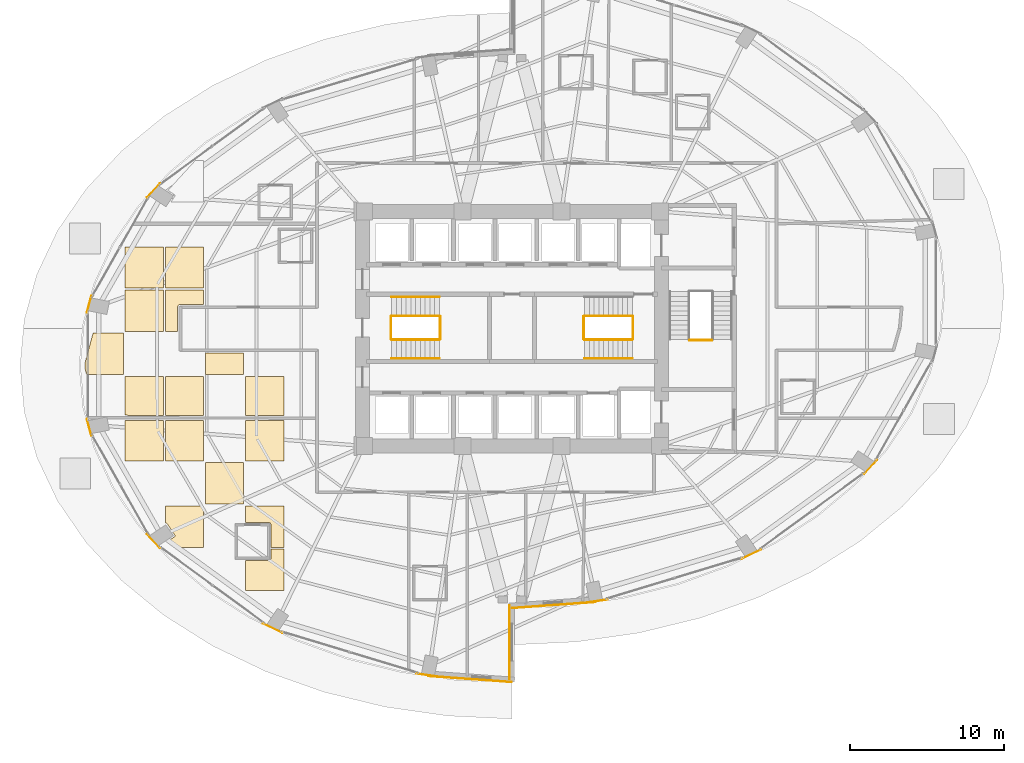
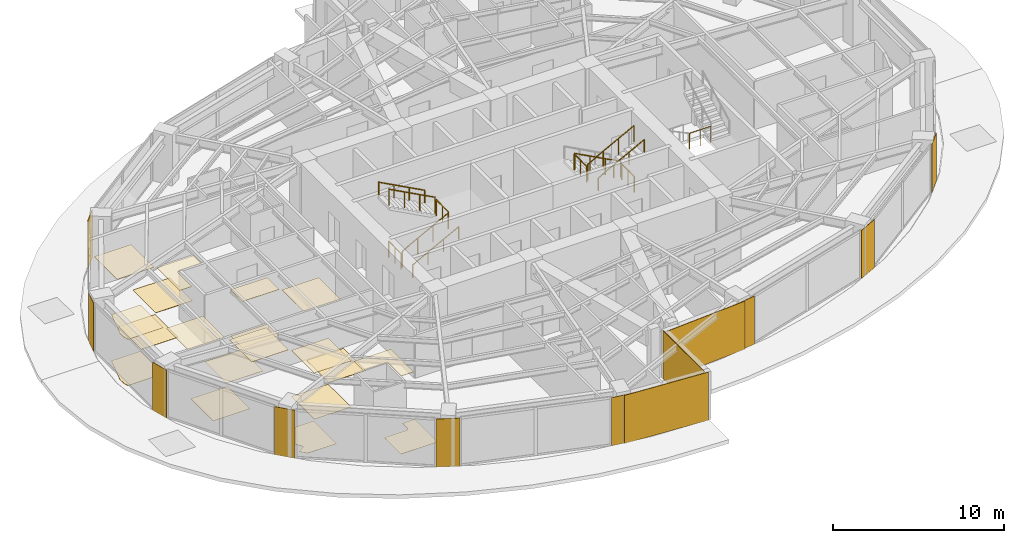
# One storey, part 24 of 25: 31 coverings, 12 railings.
"""IFC4 building model written with IfcOpenShell, lengths in metres."""

import ifcopenshell
import ifcopenshell.guid

model = None  # the IFC model being written
_history = None  # IfcOwnerHistory: only IFC2X3 demands one
_inside = {}  # id of a spatial element -> (the spatial element, [elements in it])
_under = {}  # id of a project, library or spatial element -> (it, [spatial elements below it])
_declared = {}  # id of a project -> (the project, [libraries it declares])
_typed = {}  # id of a type object -> (the type object, [elements of that type])
_made_of = {}  # id of a material, layer set ... -> (it, [elements and type objects made of it])


def new_model(schema):
    """Start an empty IFC model of exactly this schema.

    Asked for "IFC4X3", IfcOpenShell would pick the latest addendum, in which some entities
    have other attributes; the version numbers below select the first issue.
    IFC2X3 requires an IfcOwnerHistory on every rooted entity: one is made here for all.
    """
    global model, _history
    if schema == "IFC4X3":
        model = ifcopenshell.file(schema_version=(4, 3, 0, 0))
    else:
        model = ifcopenshell.file(schema=schema)
    _inside.clear()
    _under.clear()
    _declared.clear()
    _typed.clear()
    _made_of.clear()
    _history = None
    if model.schema == "IFC2X3":
        org = make("IfcOrganization", Name="unknown")
        user = make(
            "IfcPersonAndOrganization",
            ThePerson=make("IfcPerson", FamilyName="unknown"),
            TheOrganization=org,
        )
        app = make(
            "IfcApplication",
            ApplicationDeveloper=org,
            Version="unknown",
            ApplicationFullName="unknown",
            ApplicationIdentifier="unknown",
        )
        _history = make(
            "IfcOwnerHistory",
            OwningUser=user,
            OwningApplication=app,
            ChangeAction="ADDED",
            CreationDate=0,
        )
    return model


def make(cls, **values):
    """One entity of the class cls with the attributes given. An attribute that is None is left unset."""
    return model.create_entity(
        cls, **{name: value for name, value in values.items() if value is not None}
    )


def rooted(cls, **values):
    """An entity with a GlobalId (a new one), such as an element, a storey or a relation."""
    return make(cls, GlobalId=ifcopenshell.guid.new(), OwnerHistory=_history, **values)


def si_unit(unit_type, name, prefix=None):
    """IfcSIUnit, for example si_unit("LENGTHUNIT", "METRE", prefix="MILLI")."""
    return make("IfcSIUnit", UnitType=unit_type, Prefix=prefix, Name=name)


def assignment(units):
    """IfcUnitAssignment: the units of a project."""
    return None if units is None else make("IfcUnitAssignment", Units=units)


def point(xyz):
    """IfcCartesianPoint."""
    return None if xyz is None else make("IfcCartesianPoint", Coordinates=xyz)


def direction(xyz):
    """IfcDirection."""
    return None if xyz is None else make("IfcDirection", DirectionRatios=xyz)


def frame(location, z_axis=None, x_axis=None):
    """IfcAxis2Placement3D, a coordinate frame: its origin and axes. An axis left out is left unset."""
    return make(
        "IfcAxis2Placement3D",
        Location=point(location),
        Axis=direction(z_axis),
        RefDirection=direction(x_axis),
    )


def frame_2d(location, x_axis=None):
    """IfcAxis2Placement2D, a coordinate frame in the plane: its origin and x axis."""
    return make(
        "IfcAxis2Placement2D", Location=point(location), RefDirection=direction(x_axis)
    )


def origin():
    """The frame at (0, 0, 0) with its axes left unset."""
    return frame((0.0, 0.0, 0.0))


def origin_2d():
    """The frame at (0, 0) in the plane with its x axis left unset."""
    return frame_2d((0.0, 0.0))


def place(relative_to, where):
    """IfcLocalPlacement: puts the frame where relative to a parent placement (None: the world)."""
    return make(
        "IfcLocalPlacement", PlacementRelTo=relative_to, RelativePlacement=where
    )


def context(
    kind, dimensions, precision=None, world=None, true_north=None, identifier=None
):
    """IfcGeometricRepresentationContext, for example the 3D "Model" context."""
    return make(
        "IfcGeometricRepresentationContext",
        ContextIdentifier=identifier,
        ContextType=kind,
        CoordinateSpaceDimension=dimensions,
        Precision=precision,
        WorldCoordinateSystem=world,
        TrueNorth=true_north,
    )


def subcontext(parent, identifier, kind, view, scale=None):
    """IfcGeometricRepresentationSubContext, for example "Body" below "Model"."""
    return make(
        "IfcGeometricRepresentationSubContext",
        ContextIdentifier=identifier,
        ContextType=kind,
        ParentContext=parent,
        TargetScale=scale,
        TargetView=view,
    )


def project(units=None, contexts=None):
    """IfcProject with its units and contexts."""
    return rooted(
        "IfcProject",
        Name="project",
        RepresentationContexts=contexts,
        UnitsInContext=assignment(units),
    )


def spatial(cls, under=None, at=None, **own):
    """A site, building, storey or space (cls), placed at a placement, below another one or the project."""
    s = rooted(cls, ObjectPlacement=at, **own)
    if under is not None:
        _under.setdefault(under.id(), (under, []))[1].append(s)
    return s


def polyline(points):
    """IfcPolyline through the points."""
    return make("IfcPolyline", Points=[point(p) for p in points])


def profile(cls, at=None, kind="AREA", **sizes):
    """A parametric profile (cls). Its sizes go by their IFC names, for example OverallWidth=200.0."""
    return make(cls, ProfileType=kind, Position=at, **sizes)


def rectangle(**sizes):
    """IfcRectangleProfileDef."""
    return profile("IfcRectangleProfileDef", **sizes)


def circle(**sizes):
    """IfcCircleProfileDef."""
    return profile("IfcCircleProfileDef", **sizes)


def outline(outer, holes=None, kind="AREA"):
    """IfcArbitraryClosedProfileDef: a profile drawn as a closed curve; with holes, ...WithVoids."""
    if holes is None:
        return make("IfcArbitraryClosedProfileDef", ProfileType=kind, OuterCurve=outer)
    return make(
        "IfcArbitraryProfileDefWithVoids",
        ProfileType=kind,
        OuterCurve=outer,
        InnerCurves=holes,
    )


def extrude(swept, where, along, depth):
    """IfcExtrudedAreaSolid: the profile swept, set in the frame where, extruded along a direction by depth."""
    return make(
        "IfcExtrudedAreaSolid",
        SweptArea=swept,
        Position=where,
        ExtrudedDirection=direction(along),
        Depth=depth,
    )


def shape(context_of_items, identifier, shape_type, items):
    """IfcShapeRepresentation: the items that make up one representation, for example the "Body"."""
    return make(
        "IfcShapeRepresentation",
        ContextOfItems=context_of_items,
        RepresentationIdentifier=identifier,
        RepresentationType=shape_type,
        Items=items,
    )


def material(Name=None, Category=None):
    """IfcMaterial."""
    return make("IfcMaterial", Name=Name, Category=Category)


def layer(
    of_material, thickness, ventilated=None, Name=None, Category=None, Priority=None
):
    """IfcMaterialLayer: one layer of a wall or slab, of a material (None: an air gap)."""
    return make(
        "IfcMaterialLayer",
        Material=of_material,
        LayerThickness=thickness,
        IsVentilated=ventilated,
        Name=Name,
        Category=Category,
        Priority=Priority,
    )


def layer_set(layers, Name=None):
    """IfcMaterialLayerSet."""
    return make("IfcMaterialLayerSet", MaterialLayers=layers, LayerSetName=Name)


def made_of(thing, what):
    """Note that an element or type object is made of a material, layer set ...; save() writes the relation."""
    if what is not None:
        _made_of.setdefault(what.id(), (what, []))[1].append(thing)
    return thing


def type_object(cls, material=None, **own):
    """A type object (cls), such as IfcWallType, which elements share."""
    return made_of(rooted(cls, **own), material)


def element(
    cls,
    number,
    at=None,
    inside=None,
    cuts=None,
    type_object=None,
    material=None,
    context=None,
    identifier="Body",
    shape_type=None,
    held_by="IfcProductDefinitionShape",
    body=None,
    shapes=None,
    **own,
):
    """One element of the class cls, such as IfcWall. Its Tag is "e" and its number.

    at: its placement. inside: the storey or other place that contains it. cuts: it is an
    opening in that element (IfcRelVoidsElement). A single representation is given by context,
    identifier, shape_type and body (its items); several are given by shapes. held_by: the class
    of the entity that holds the representations. save() writes the other relations.
    """
    e = rooted(cls, Tag="e%d" % number, ObjectPlacement=at, **own)
    if body is not None:
        shapes = [shape(context, identifier, shape_type, body)]
    if shapes is not None:
        e.Representation = make(held_by, Representations=shapes)
    if inside is not None:
        _inside.setdefault(inside.id(), (inside, []))[1].append(e)
    if cuts is not None:
        rooted(
            "IfcRelVoidsElement", RelatingBuildingElement=cuts, RelatedOpeningElement=e
        )
    if type_object is not None:
        _typed.setdefault(type_object.id(), (type_object, []))[1].append(e)
    return made_of(e, material)


def aggregate(whole, parts):
    """IfcRelAggregates: a whole, such as a stair, and the parts it consists of."""
    return rooted("IfcRelAggregates", RelatingObject=whole, RelatedObjects=parts)


def save(model, path):
    """Write the relations noted so far, then the file.

    IfcRelAggregates (storeys below a building ...), IfcRelContainedInSpatialStructure (elements
    in a storey), IfcRelDefinesByType, IfcRelAssociatesMaterial and IfcRelDeclares: one each for
    every whole, place, type object, material and project.
    """
    for whole, parts in _under.values():
        aggregate(whole, parts)
    for where, things in _inside.values():
        rooted(
            "IfcRelContainedInSpatialStructure",
            RelatedElements=things,
            RelatingStructure=where,
        )
    for kind, things in _typed.values():
        rooted("IfcRelDefinesByType", RelatedObjects=things, RelatingType=kind)
    for what, things in _made_of.values():
        rooted("IfcRelAssociatesMaterial", RelatedObjects=things, RelatingMaterial=what)
    for by, libraries in _declared.values():
        rooted("IfcRelDeclares", RelatingContext=by, RelatedDefinitions=libraries)
    model.write(path)


model = new_model("IFC4")

# Units and contexts
model_context = context("Model", 3, precision=1e-05, world=origin(), true_north=direction((0.0, 1.0)))
body_context = subcontext(model_context, "Body", "Model", "MODEL_VIEW")
ifc_project = project(units=[si_unit("LENGTHUNIT", "METRE"), si_unit("AREAUNIT", "SQUARE_METRE"), si_unit("VOLUMEUNIT", "CUBIC_METRE"), si_unit("PLANEANGLEUNIT", "RADIAN"), si_unit("MASSUNIT", "GRAM", prefix="KILO")], contexts=[model_context])

# Site, building, storey
site_placement = place(None, origin())
site = spatial("IfcSite", under=ifc_project, at=site_placement, CompositionType="ELEMENT")
building_placement = place(site_placement, origin())
building = spatial("IfcBuilding", under=site, at=building_placement, Name="Lazwardi Medical Tower", CompositionType="ELEMENT")
storey_placement = place(building_placement, frame((0.0, 0.0, 25.199951171875)))
storey = spatial("IfcBuildingStorey", under=building, at=storey_placement, Name="L05", CompositionType="ELEMENT", Elevation=25.199951171875)

# Coverings
ifc_material_1 = material(Name="Anodised bronze aluminium cassette cladding", Category="aluminium")
ifc_layer_1 = layer(ifc_material_1, 0.030029296875)
ifc_layer_set_1 = layer_set([ifc_layer_1], Name="Anodised bronze aluminium cassette cladding")
covering_type_1 = type_object("IfcCoveringType", Name="COV-CLD-BRZ", PredefinedType="CLADDING", material=ifc_layer_set_1)
covering_1_placement = place(storey_placement, frame((41.454345703125, 10.33251953125, 0.0), z_axis=(0.0, 0.0, 1.0), x_axis=(0.98957259946, 0.144034962415, 0.0)))
element("IfcCovering", 1, at=covering_1_placement, inside=storey, type_object=covering_type_1, Name="L05 Mega-column bronze cassette cover M01", PredefinedType="CLADDING", context=body_context, shape_type="SweptSolid", body=[
    extrude(rectangle(XDim=1.49951171875, YDim=0.030029296875, at=origin_2d()), origin(), (0.0, 0.0, 1.0), 3.427978515625),
])
covering_2_placement = place(storey_placement, frame((51.532470703125, 13.3876953125, 0.0), z_axis=(0.0, 0.0, 1.0), x_axis=(0.898334492373, 0.439312121178, 0.0)))
element("IfcCovering", 2, at=covering_2_placement, inside=storey, type_object=covering_type_1, Name="L05 Mega-column bronze cassette cover M02", PredefinedType="CLADDING", context=body_context, shape_type="SweptSolid", body=[
    extrude(rectangle(XDim=1.400390625, YDim=0.030029296875, at=origin_2d()), origin(), (0.0, 0.0, 1.0), 3.427978515625),
])
for number, where, z_axis, x_axis, name in (
    (3, (59.24609375, 19.03271484375, 0.0), (0.0, 0.0, 1.0), (0.674252120961, 0.738501237223, 0.0), "L05 Mega-column bronze cassette cover M03"),
    (4, (12.75390625, 36.96728515625, 0.0), (0.0, 0.0, 1.0), (-0.674252120961, -0.738501237223, 0.0), "L05 Mega-column bronze cassette cover M11"),
):
    element("IfcCovering", number, at=place(storey_placement, frame(where, z_axis=z_axis, x_axis=x_axis)), inside=storey, type_object=covering_type_1, Name=name, PredefinedType="CLADDING", context=body_context, shape_type="SweptSolid", body=[
        extrude(rectangle(XDim=1.24658203125, YDim=0.030029296875, at=origin_2d()), origin(), (0.0, 0.0, 1.0), 3.427978515625),
    ])
for number, where, z_axis, x_axis, name in (
    (5, (8.579345703125, 29.591796875, 0.0), (0.0, 0.0, 1.0), (-0.262283496593, -0.964990863902, 0.0), "L05 Mega-column bronze cassette cover M12"),
    (6, (8.579345703125, 21.6083984375, 0.0), (0.0, 0.0, 1.0), (0.262283496593, -0.964990863902, 0.0), "L05 Mega-column bronze cassette cover M13"),
):
    element("IfcCovering", number, at=place(storey_placement, frame(where, z_axis=z_axis, x_axis=x_axis)), inside=storey, type_object=covering_type_1, Name=name, PredefinedType="CLADDING", context=body_context, shape_type="SweptSolid", body=[
        extrude(rectangle(XDim=1.12548828125, YDim=0.030029296875, at=origin_2d()), origin(), (0.0, 0.0, 1.0), 3.427978515625),
    ])
covering_3_placement = place(storey_placement, frame((12.75390625, 14.232666015625, 0.0), z_axis=(0.0, 0.0, 1.0), x_axis=(0.674252120961, -0.738501237223, 0.0)))
element("IfcCovering", 7, at=covering_3_placement, inside=storey, type_object=covering_type_1, Name="L05 Mega-column bronze cassette cover M14", PredefinedType="CLADDING", context=body_context, shape_type="SweptSolid", body=[
    extrude(rectangle(XDim=1.24658203125, YDim=0.030029296875, at=origin_2d()), origin(), (0.0, 0.0, 1.0), 3.427978515625),
])
covering_4_placement = place(storey_placement, frame((20.467529296875, 8.587646484375, 0.0), z_axis=(0.0, 0.0, 1.0), x_axis=(0.898334492373, -0.439312121178, 0.0)))
element("IfcCovering", 8, at=covering_4_placement, inside=storey, type_object=covering_type_1, Name="L05 Mega-column bronze cassette cover M15", PredefinedType="CLADDING", context=body_context, shape_type="SweptSolid", body=[
    extrude(rectangle(XDim=1.400390625, YDim=0.030029296875, at=origin_2d()), origin(), (0.0, 0.0, 1.0), 3.427978515625),
])
covering_5_placement = place(storey_placement, frame((30.545654296875, 5.53271484375, 0.0), z_axis=(0.0, 0.0, 1.0), x_axis=(0.98957259946, -0.144034962415, 0.0)))
element("IfcCovering", 9, at=covering_5_placement, inside=storey, type_object=covering_type_1, Name="L05 Mega-column bronze cassette cover M16", PredefinedType="CLADDING", context=body_context, shape_type="SweptSolid", body=[
    extrude(rectangle(XDim=1.49951171875, YDim=0.030029296875, at=origin_2d()), origin(), (0.0, 0.0, 1.0), 3.427978515625),
])
ifc_material_2 = material(Name="Turquoise glazed ceramic tilework cladding", Category="masonry")
ifc_layer_2 = layer(ifc_material_2, 0.034912109375)
ifc_layer_set_2 = layer_set([ifc_layer_2], Name="Turquoise glazed ceramic tilework cladding")
covering_type_2 = type_object("IfcCoveringType", Name="COV-CLD-TRQ", PredefinedType="CLADDING", material=ifc_layer_set_2)
covering_6_placement = place(storey_placement, frame((38.728271484375, 10.080322265625, 0.0), z_axis=(0.0, 0.0, 1.0), x_axis=(0.997421404513, 0.071767275412, 0.0)))
element("IfcCovering", 10, at=covering_6_placement, inside=storey, type_object=covering_type_2, Name="L05 Turquoise glazed ceramic tilework cladding", PredefinedType="CLADDING", context=body_context, shape_type="SweptSolid", body=[
    extrude(rectangle(XDim=5.4453125, YDim=0.034912109375, at=origin_2d()), origin(), (0.0, 0.0, 1.0), 3.427978515625),
])
covering_7_placement = place(storey_placement, frame((33.271484375, 5.280517578125, 0.0), z_axis=(0.0, 0.0, 1.0), x_axis=(0.997420903458, -0.071774238726, 0.0)))
element("IfcCovering", 11, at=covering_7_placement, inside=storey, type_object=covering_type_2, Name="L05 Turquoise glazed ceramic tilework cladding", PredefinedType="CLADDING", context=body_context, shape_type="SweptSolid", body=[
    extrude(rectangle(XDim=5.44482421875, YDim=0.034912109375, at=origin_2d()), origin(), (0.0, 0.0, 1.0), 3.427978515625),
])
covering_8_placement = place(storey_placement, frame((35.824462890625, 7.659912109375, 0.0), z_axis=(0.0, 0.0, 1.0), x_axis=(0.0, 1.0, 0.0)))
element("IfcCovering", 12, at=covering_8_placement, inside=storey, type_object=covering_type_2, Name="L05 Turquoise glazed ceramic tilework iwan panel", PredefinedType="CLADDING", context=body_context, shape_type="SweptSolid", body=[
    extrude(rectangle(XDim=4.800048828125, YDim=0.034912109375, at=origin_2d()), origin(), (0.0, 0.0, 1.0), 3.427978515625),
])
ifc_material_3 = material(Name="Acoustic mineral fibre tile")
ifc_layer_3 = layer(ifc_material_3, 0.02490234375)
ifc_layer_set_3 = layer_set([ifc_layer_3], Name="Acoustic mineral fibre tile")
covering_type_3 = type_object("IfcCoveringType", Name="COV-CLG-01", PredefinedType="CEILING", material=ifc_layer_set_3)
covering_9_placement = place(storey_placement, frame((0.0, 0.0, 3.282958984375)))
element("IfcCovering", 13, at=covering_9_placement, inside=storey, type_object=covering_type_3, Name="L05 Clinical Acoustic Ceiling 1", PredefinedType="CEILING", context=body_context, shape_type="SweptSolid", body=[
    extrude(outline(polyline([(8.838134765625, 27.71240234375), (8.322998046875, 25.8203125), (8.322998046875, 25.379638671875), (8.41748046875, 25.032470703125), (10.802978515625, 25.032470703125), (10.802978515625, 27.71240234375), (8.838134765625, 27.71240234375)])), origin(), (0.0, 0.0, 1.0), 0.025146484375),
])
covering_10_placement = place(storey_placement, frame((0.0, 0.0, 3.282958984375)))
element("IfcCovering", 14, at=covering_10_placement, inside=storey, type_object=covering_type_3, Name="L05 Clinical Acoustic Ceiling 2", PredefinedType="CEILING", context=body_context, shape_type="SweptSolid", body=[
    extrude(outline(polyline([(10.9228515625, 22.391357421875), (13.40283203125, 22.385986328125), (13.40283203125, 24.91259765625), (10.9228515625, 24.91259765625), (10.9228515625, 22.391357421875)])), origin(), (0.0, 0.0, 1.0), 0.025146484375),
])
covering_11_placement = place(storey_placement, frame((0.0, 0.0, 3.282958984375)))
element("IfcCovering", 15, at=covering_11_placement, inside=storey, type_object=covering_type_3, Name="L05 Clinical Acoustic Ceiling 3", PredefinedType="CEILING", context=body_context, shape_type="SweptSolid", body=[
    extrude(outline(polyline([(13.40283203125, 30.632568359375), (13.40283203125, 33.3125), (10.9228515625, 33.3125), (10.9228515625, 30.632568359375), (13.40283203125, 30.632568359375)])), origin(), (0.0, 0.0, 1.0), 0.025146484375),
])
covering_12_placement = place(storey_placement, frame((0.0, 0.0, 3.282958984375)))
element("IfcCovering", 16, at=covering_12_placement, inside=storey, type_object=covering_type_3, Name="L05 Clinical Acoustic Ceiling 4", PredefinedType="CEILING", context=body_context, shape_type="SweptSolid", body=[
    extrude(outline(polyline([(16.0029296875, 22.050537109375), (13.52294921875, 22.055908203125), (13.52294921875, 19.4326171875), (16.0029296875, 19.4326171875), (16.0029296875, 22.050537109375)])), origin(), (0.0, 0.0, 1.0), 0.025146484375),
])
covering_13_placement = place(storey_placement, frame((0.0, 0.0, 3.282958984375)))
element("IfcCovering", 17, at=covering_13_placement, inside=storey, type_object=covering_type_3, Name="L05 Clinical Acoustic Ceiling 5", PredefinedType="CEILING", context=body_context, shape_type="SweptSolid", body=[
    extrude(outline(polyline([(14.324951171875, 27.83251953125), (14.324951171875, 29.39990234375), (14.3251953125, 29.404296875), (14.32568359375, 29.41357421875), (14.326416015625, 29.42041015625), (14.32763671875, 29.4296875), (14.3291015625, 29.43798828125), (14.33154296875, 29.447265625), (14.33349609375, 29.4541015625), (14.336669921875, 29.462890625), (14.340087890625, 29.470703125), (14.343994140625, 29.479248046875), (14.34765625, 29.486083984375), (14.352294921875, 29.493896484375), (14.35693359375, 29.500732421875), (14.362548828125, 29.50830078125), (14.3671875, 29.513916015625), (14.373291015625, 29.520751953125), (14.37939453125, 29.526611328125), (14.38623046875, 29.532958984375), (14.391845703125, 29.53759765625), (14.3994140625, 29.543212890625), (14.406005859375, 29.547607421875), (14.4140625, 29.552490234375), (14.4208984375, 29.555908203125), (14.42919921875, 29.56005859375), (14.43701171875, 29.563232421875), (14.44580078125, 29.56640625), (14.452880859375, 29.568603515625), (14.4619140625, 29.57080078125), (14.47021484375, 29.572509765625), (14.4794921875, 29.57373046875), (14.486328125, 29.574462890625), (14.49560546875, 29.574951171875), (14.5, 29.574951171875), (16.0029296875, 29.574951171875), (16.0029296875, 30.512451171875), (13.52294921875, 30.512451171875), (13.52294921875, 27.83251953125), (14.324951171875, 27.83251953125)])), origin(), (0.0, 0.0, 1.0), 0.025146484375),
])
covering_14_placement = place(storey_placement, frame((0.0, 0.0, 3.282958984375)))
element("IfcCovering", 18, at=covering_14_placement, inside=storey, type_object=covering_type_3, Name="L05 Clinical Acoustic Ceiling 7", PredefinedType="CEILING", context=body_context, shape_type="SweptSolid", body=[
    extrude(outline(polyline([(18.602783203125, 16.632568359375), (18.602783203125, 19.3125), (16.122802734375, 19.3125), (16.122802734375, 16.632568359375), (18.602783203125, 16.632568359375)])), origin(), (0.0, 0.0, 1.0), 0.025146484375),
])
covering_15_placement = place(storey_placement, frame((0.0, 0.0, 3.282958984375)))
element("IfcCovering", 19, at=covering_15_placement, inside=storey, type_object=covering_type_3, Name="L05 Clinical Acoustic Ceiling 8", PredefinedType="CEILING", context=body_context, shape_type="SweptSolid", body=[
    extrude(outline(polyline([(18.602783203125, 26.425048828125), (16.122802734375, 26.425048828125), (16.122802734375, 25.032470703125), (18.602783203125, 25.032470703125), (18.602783203125, 26.425048828125)])), origin(), (0.0, 0.0, 1.0), 0.025146484375),
])
covering_16_placement = place(storey_placement, frame((0.0, 0.0, 3.282958984375)))
element("IfcCovering", 20, at=covering_16_placement, inside=storey, type_object=covering_type_3, Name="L05 Clinical Acoustic Ceiling 9", PredefinedType="CEILING", context=body_context, shape_type="SweptSolid", body=[
    extrude(outline(polyline([(18.722900390625, 15.435302734375), (20.218017578125, 15.435302734375), (20.221435546875, 15.435302734375), (20.228271484375, 15.43505859375), (20.236328125, 15.43408203125), (20.2431640625, 15.43310546875), (20.251220703125, 15.431640625), (20.258056640625, 15.429931640625), (20.265380859375, 15.427734375), (20.271728515625, 15.42529296875), (20.278564453125, 15.422607421875), (20.284912109375, 15.419677734375), (20.29248046875, 15.41552734375), (20.298583984375, 15.411865234375), (20.30419921875, 15.408203125), (20.309814453125, 15.404052734375), (20.316650390625, 15.3984375), (20.321533203125, 15.393798828125), (20.326171875, 15.38916015625), (20.330810546875, 15.384033203125), (20.336181640625, 15.377685546875), (20.34033203125, 15.3720703125), (20.344970703125, 15.364990234375), (20.348388671875, 15.359130859375), (20.352294921875, 15.352294921875), (20.35498046875, 15.34619140625), (20.35791015625, 15.33935546875), (20.360107421875, 15.3330078125), (20.3623046875, 15.325439453125), (20.364013671875, 15.31884765625), (20.36572265625, 15.310791015625), (20.36669921875, 15.303955078125), (20.367431640625, 15.2958984375), (20.367919921875, 15.288818359375), (20.367919921875, 15.285400390625), (20.367919921875, 13.83251953125), (21.202880859375, 13.83251953125), (21.202880859375, 16.512451171875), (18.722900390625, 16.512451171875), (18.722900390625, 15.435302734375)])), origin(), (0.0, 0.0, 1.0), 0.025146484375),
])
covering_17_placement = place(storey_placement, frame((0.0, 0.0, 3.282958984375)))
element("IfcCovering", 21, at=covering_17_placement, inside=storey, type_object=covering_type_3, Name="L05 Clinical Acoustic Ceiling 10", PredefinedType="CEILING", context=body_context, shape_type="SweptSolid", body=[
    extrude(outline(polyline([(18.722900390625, 22.374755859375), (21.202880859375, 22.369384765625), (21.202880859375, 24.91259765625), (18.722900390625, 24.91259765625), (18.722900390625, 22.374755859375)])), origin(), (0.0, 0.0, 1.0), 0.025146484375),
])
ifc_material_4 = material(Name="Anti-static hospital vinyl sheet flooring")
ifc_layer_4 = layer(ifc_material_4, 0.014892578125)
ifc_layer_set_4 = layer_set([ifc_layer_4], Name="Anti-static hospital vinyl sheet flooring")
covering_type_4 = type_object("IfcCoveringType", Name="COV-FLR-01", PredefinedType="FLOORING", material=ifc_layer_set_4)
covering_18_placement = place(storey_placement, origin())
element("IfcCovering", 22, at=covering_18_placement, inside=storey, type_object=covering_type_4, Name="L05 Clinical Vinyl Flooring 1", PredefinedType="FLOORING", context=body_context, shape_type="SweptSolid", body=[
    extrude(outline(polyline([(8.838134765625, 27.71240234375), (8.322998046875, 25.8203125), (8.322998046875, 25.379638671875), (8.41748046875, 25.032470703125), (10.802978515625, 25.032470703125), (10.802978515625, 27.71240234375), (8.838134765625, 27.71240234375)])), origin(), (0.0, 0.0, 1.0), 0.01513671875),
])
covering_19_placement = place(storey_placement, origin())
element("IfcCovering", 23, at=covering_19_placement, inside=storey, type_object=covering_type_4, Name="L05 Clinical Vinyl Flooring 2", PredefinedType="FLOORING", context=body_context, shape_type="SweptSolid", body=[
    extrude(outline(polyline([(13.40283203125, 22.055908203125), (10.9228515625, 22.061279296875), (10.9228515625, 19.4326171875), (13.40283203125, 19.4326171875), (13.40283203125, 22.055908203125)])), origin(), (0.0, 0.0, 1.0), 0.01513671875),
])
covering_20_placement = place(storey_placement, origin())
element("IfcCovering", 24, at=covering_20_placement, inside=storey, type_object=covering_type_4, Name="L05 Clinical Vinyl Flooring 3", PredefinedType="FLOORING", context=body_context, shape_type="SweptSolid", body=[
    extrude(outline(polyline([(13.40283203125, 27.83251953125), (13.40283203125, 30.512451171875), (10.9228515625, 30.512451171875), (10.9228515625, 27.83251953125), (13.40283203125, 27.83251953125)])), origin(), (0.0, 0.0, 1.0), 0.01513671875),
])
covering_21_placement = place(storey_placement, origin())
element("IfcCovering", 25, at=covering_21_placement, inside=storey, type_object=covering_type_4, Name="L05 Clinical Vinyl Flooring 4", PredefinedType="FLOORING", context=body_context, shape_type="SweptSolid", body=[
    extrude(outline(polyline([(13.52294921875, 15.385498046875), (13.52880859375, 15.388916015625), (13.535888671875, 15.39208984375), (13.543212890625, 15.39501953125), (13.55078125, 15.396728515625), (13.55859375, 15.39794921875), (13.56640625, 15.398193359375), (13.57421875, 15.39794921875), (13.58203125, 15.396728515625), (13.589599609375, 15.39501953125), (13.596923828125, 15.39208984375), (13.60400390625, 15.388916015625), (13.61083984375, 15.384765625), (13.6171875, 15.380126953125), (13.623046875, 15.375), (13.628173828125, 15.369140625), (13.6328125, 15.36279296875), (14.1328125, 14.614501953125), (14.136962890625, 14.607666015625), (14.140380859375, 14.6005859375), (14.14306640625, 14.59326171875), (14.14501953125, 14.585693359375), (14.14599609375, 14.577880859375), (14.146484375, 14.570068359375), (14.14599609375, 14.562255859375), (14.14501953125, 14.554443359375), (14.14306640625, 14.546875), (14.140380859375, 14.539306640625), (14.136962890625, 14.5322265625), (14.1328125, 14.525634765625), (14.128173828125, 14.519287109375), (14.123046875, 14.513427734375), (14.1171875, 14.50830078125), (14.11083984375, 14.50341796875), (13.69677734375, 14.226806640625), (14.057373046875, 13.83251953125), (16.0029296875, 13.83251953125), (16.0029296875, 16.512451171875), (13.52294921875, 16.512451171875), (13.52294921875, 15.385498046875)])), origin(), (0.0, 0.0, 1.0), 0.01513671875),
])
covering_22_placement = place(storey_placement, origin())
element("IfcCovering", 26, at=covering_22_placement, inside=storey, type_object=covering_type_4, Name="L05 Clinical Vinyl Flooring 5", PredefinedType="FLOORING", context=body_context, shape_type="SweptSolid", body=[
    extrude(outline(polyline([(13.52294921875, 22.3857421875), (16.0029296875, 22.380615234375), (16.0029296875, 24.91259765625), (13.52294921875, 24.91259765625), (13.52294921875, 22.3857421875)])), origin(), (0.0, 0.0, 1.0), 0.01513671875),
])
covering_23_placement = place(storey_placement, origin())
element("IfcCovering", 27, at=covering_23_placement, inside=storey, type_object=covering_type_4, Name="L05 Clinical Vinyl Flooring 6", PredefinedType="FLOORING", context=body_context, shape_type="SweptSolid", body=[
    extrude(outline(polyline([(16.0029296875, 30.632568359375), (16.0029296875, 33.3125), (13.52294921875, 33.3125), (13.52294921875, 30.632568359375), (16.0029296875, 30.632568359375)])), origin(), (0.0, 0.0, 1.0), 0.01513671875),
])
covering_24_placement = place(storey_placement, origin())
element("IfcCovering", 28, at=covering_24_placement, inside=storey, type_object=covering_type_4, Name="L05 Clinical Vinyl Flooring 7", PredefinedType="FLOORING", context=body_context, shape_type="SweptSolid", body=[
    extrude(outline(polyline([(18.602783203125, 16.632568359375), (18.602783203125, 19.3125), (16.122802734375, 19.3125), (16.122802734375, 16.632568359375), (18.602783203125, 16.632568359375)])), origin(), (0.0, 0.0, 1.0), 0.01513671875),
])
covering_25_placement = place(storey_placement, origin())
element("IfcCovering", 29, at=covering_25_placement, inside=storey, type_object=covering_type_4, Name="L05 Clinical Vinyl Flooring 8", PredefinedType="FLOORING", context=body_context, shape_type="SweptSolid", body=[
    extrude(outline(polyline([(18.602783203125, 26.425048828125), (16.122802734375, 26.425048828125), (16.122802734375, 25.032470703125), (18.602783203125, 25.032470703125), (18.602783203125, 26.425048828125)])), origin(), (0.0, 0.0, 1.0), 0.01513671875),
])
covering_26_placement = place(storey_placement, origin())
element("IfcCovering", 30, at=covering_26_placement, inside=storey, type_object=covering_type_4, Name="L05 Clinical Vinyl Flooring 9", PredefinedType="FLOORING", context=body_context, shape_type="SweptSolid", body=[
    extrude(outline(polyline([(20.367919921875, 13.71240234375), (20.367919921875, 13.12548828125), (20.367919921875, 13.121826171875), (20.367431640625, 13.114990234375), (20.36669921875, 13.10693359375), (20.36572265625, 13.10009765625), (20.364013671875, 13.092041015625), (20.3623046875, 13.08544921875), (20.3603515625, 13.078369140625), (20.35791015625, 13.072021484375), (20.35498046875, 13.064697265625), (20.352294921875, 13.05859375), (20.348388671875, 13.051513671875), (20.344970703125, 13.045654296875), (20.34033203125, 13.038818359375), (20.336181640625, 13.033203125), (20.330810546875, 13.02685546875), (20.326171875, 13.021728515625), (20.321533203125, 13.01708984375), (20.316650390625, 13.012451171875), (20.309814453125, 13.0068359375), (20.30419921875, 13.002685546875), (20.297607421875, 12.998291015625), (20.291748046875, 12.994873046875), (20.284912109375, 12.9912109375), (20.278564453125, 12.98828125), (20.272705078125, 12.98583984375), (20.266357421875, 12.9833984375), (20.2568359375, 12.980712890625), (20.250244140625, 12.97900390625), (20.2431640625, 12.977783203125), (20.236328125, 12.976806640625), (20.2294921875, 12.975830078125), (20.222412109375, 12.9755859375), (20.218017578125, 12.975341796875), (18.722900390625, 12.975341796875), (18.722900390625, 11.032470703125), (21.202880859375, 11.032470703125), (21.202880859375, 13.71240234375), (20.367919921875, 13.71240234375)])), origin(), (0.0, 0.0, 1.0), 0.01513671875),
])
covering_27_placement = place(storey_placement, origin())
element("IfcCovering", 31, at=covering_27_placement, inside=storey, type_object=covering_type_4, Name="L05 Clinical Vinyl Flooring 10", PredefinedType="FLOORING", context=body_context, shape_type="SweptSolid", body=[
    extrude(outline(polyline([(21.202880859375, 22.03955078125), (18.722900390625, 22.044921875), (18.722900390625, 19.4326171875), (21.202880859375, 19.4326171875), (21.202880859375, 22.03955078125)])), origin(), (0.0, 0.0, 1.0), 0.01513671875),
])

# Railings
ifc_material_5 = material(Name="Stainless steel Grade 316", Category="steel")
railing_type_1 = type_object("IfcRailingType", Name="RLG-GRD-1150", PredefinedType="GUARDRAIL", material=ifc_material_5)
railing_1_placement = place(storey_placement, frame((28.199951171875, 27.2900390625, 0.165771484375)))
element("IfcRailing", 32, at=railing_1_placement, inside=storey, type_object=railing_type_1, Name="L05 ST1 stair guard 1", PredefinedType="GUARDRAIL", context=body_context, shape_type="SweptSolid", body=[
    extrude(circle(Radius=0.02392578125, at=origin_2d()), frame((0.0, 0.0, 1.1259765625), z_axis=(0.881783298633, 0.0, 0.471654761719), x_axis=(0.0, 1.0, 0.0)), (0.0, 0.0, 1.0), 3.515625),
    extrude(circle(Radius=0.02099609375, at=origin_2d()), origin(), (0.0, 0.0, 1.0), 1.099853515625),
    extrude(circle(Radius=0.02099609375, at=origin_2d()), frame((1.033447265625, 0.0, 0.552734375)), (0.0, 0.0, 1.0), 1.099853515625),
    extrude(circle(Radius=0.02099609375, at=origin_2d()), frame((2.066650390625, 0.0, 1.10546875)), (0.0, 0.0, 1.0), 1.099853515625),
    extrude(circle(Radius=0.02099609375, at=origin_2d()), frame((3.10009765625, 0.0, 1.658203125)), (0.0, 0.0, 1.0), 1.099853515625),
])
railing_2_placement = place(storey_placement, frame((31.35009765625, 27.340087890625, 1.823974609375)))
element("IfcRailing", 33, at=railing_2_placement, inside=storey, type_object=railing_type_1, Name="L05 ST1 stair guard 2", PredefinedType="GUARDRAIL", context=body_context, shape_type="SweptSolid", body=[
    extrude(circle(Radius=0.02392578125, at=origin_2d()), frame((0.0, 0.0, 1.1259765625), z_axis=(0.0, 1.0, 0.0), x_axis=(-1.0, 0.0, 0.0)), (0.0, 0.0, 1.0), 1.43994140625),
    extrude(circle(Radius=0.02099609375, at=origin_2d()), origin(), (0.0, 0.0, 1.0), 1.099853515625),
    extrude(circle(Radius=0.02099609375, at=origin_2d()), frame((0.0, 0.719970703125, 0.0)), (0.0, 0.0, 1.0), 1.099853515625),
    extrude(circle(Radius=0.02099609375, at=origin_2d()), frame((0.0, 1.43994140625, 0.0)), (0.0, 0.0, 1.0), 1.099853515625),
])
railing_3_placement = place(storey_placement, frame((31.300048828125, 28.830078125, 1.98974609375)))
element("IfcRailing", 34, at=railing_3_placement, inside=storey, type_object=railing_type_1, Name="L05 ST1 stair guard 3", PredefinedType="GUARDRAIL", context=body_context, shape_type="SweptSolid", body=[
    extrude(circle(Radius=0.02392578125, at=origin_2d()), frame((0.0, 0.0, 1.1259765625), z_axis=(-0.881783298633, 0.0, 0.471654761719), x_axis=(0.0, -1.0, 0.0)), (0.0, 0.0, 1.0), 3.515625),
    extrude(circle(Radius=0.02099609375, at=origin_2d()), origin(), (0.0, 0.0, 1.0), 1.099853515625),
    extrude(circle(Radius=0.02099609375, at=origin_2d()), frame((-1.033447265625, 0.0, 0.552734375)), (0.0, 0.0, 1.0), 1.099853515625),
    extrude(circle(Radius=0.02099609375, at=origin_2d()), frame((-2.066650390625, 0.0, 1.10546875)), (0.0, 0.0, 1.0), 1.099853515625),
    extrude(circle(Radius=0.02099609375, at=origin_2d()), frame((-3.10009765625, 0.0, 1.658203125)), (0.0, 0.0, 1.0), 1.099853515625),
])
railing_4_placement = place(storey_placement, frame((28.14990234375, 27.340087890625, 0.0)))
element("IfcRailing", 35, at=railing_4_placement, inside=storey, type_object=railing_type_1, Name="L05 ST1 stair guard 4", PredefinedType="GUARDRAIL", context=body_context, shape_type="SweptSolid", body=[
    extrude(circle(Radius=0.02392578125, at=origin_2d()), frame((0.0, 0.0, 1.1259765625), z_axis=(0.0, 1.0, 0.0), x_axis=(-1.0, 0.0, 0.0)), (0.0, 0.0, 1.0), 1.43994140625),
    extrude(circle(Radius=0.02099609375, at=origin_2d()), origin(), (0.0, 0.0, 1.0), 1.099853515625),
    extrude(circle(Radius=0.02099609375, at=origin_2d()), frame((0.0, 0.719970703125, 0.0)), (0.0, 0.0, 1.0), 1.099853515625),
    extrude(circle(Radius=0.02099609375, at=origin_2d()), frame((0.0, 1.43994140625, 0.0)), (0.0, 0.0, 1.0), 1.099853515625),
])
railing_5_placement = place(storey_placement, frame((43.800048828125, 28.830078125, 0.165771484375)))
element("IfcRailing", 36, at=railing_5_placement, inside=storey, type_object=railing_type_1, Name="L05 ST2 stair guard 1", PredefinedType="GUARDRAIL", context=body_context, shape_type="SweptSolid", body=[
    extrude(circle(Radius=0.02392578125, at=origin_2d()), frame((0.0, 0.0, 1.1259765625), z_axis=(-0.881783298633, 0.0, 0.471654761719), x_axis=(0.0, -1.0, 0.0)), (0.0, 0.0, 1.0), 3.515625),
    extrude(circle(Radius=0.02099609375, at=origin_2d()), origin(), (0.0, 0.0, 1.0), 1.099853515625),
    extrude(circle(Radius=0.02099609375, at=origin_2d()), frame((-1.033447265625, 0.0, 0.552734375)), (0.0, 0.0, 1.0), 1.099853515625),
    extrude(circle(Radius=0.02099609375, at=origin_2d()), frame((-2.066650390625, 0.0, 1.10546875)), (0.0, 0.0, 1.0), 1.099853515625),
    extrude(circle(Radius=0.02099609375, at=origin_2d()), frame((-3.10009765625, 0.0, 1.658203125)), (0.0, 0.0, 1.0), 1.099853515625),
])
railing_6_placement = place(storey_placement, frame((40.64990234375, 28.780029296875, 1.823974609375)))
element("IfcRailing", 37, at=railing_6_placement, inside=storey, type_object=railing_type_1, Name="L05 ST2 stair guard 2", PredefinedType="GUARDRAIL", context=body_context, shape_type="SweptSolid", body=[
    extrude(circle(Radius=0.02392578125, at=origin_2d()), frame((0.0, 0.0, 1.1259765625), z_axis=(0.0, -1.0, 0.0), x_axis=(1.0, 0.0, 0.0)), (0.0, 0.0, 1.0), 1.43994140625),
    extrude(circle(Radius=0.02099609375, at=origin_2d()), origin(), (0.0, 0.0, 1.0), 1.099853515625),
    extrude(circle(Radius=0.02099609375, at=origin_2d()), frame((0.0, -0.719970703125, 0.0)), (0.0, 0.0, 1.0), 1.099853515625),
    extrude(circle(Radius=0.02099609375, at=origin_2d()), frame((0.0, -1.43994140625, 0.0)), (0.0, 0.0, 1.0), 1.099853515625),
])
railing_7_placement = place(storey_placement, frame((40.699951171875, 27.2900390625, 1.98974609375)))
element("IfcRailing", 38, at=railing_7_placement, inside=storey, type_object=railing_type_1, Name="L05 ST2 stair guard 3", PredefinedType="GUARDRAIL", context=body_context, shape_type="SweptSolid", body=[
    extrude(circle(Radius=0.02392578125, at=origin_2d()), frame((0.0, 0.0, 1.1259765625), z_axis=(0.881783298633, 0.0, 0.471654761719), x_axis=(0.0, 1.0, 0.0)), (0.0, 0.0, 1.0), 3.515625),
    extrude(circle(Radius=0.02099609375, at=origin_2d()), origin(), (0.0, 0.0, 1.0), 1.099853515625),
    extrude(circle(Radius=0.02099609375, at=origin_2d()), frame((1.033447265625, 0.0, 0.552734375)), (0.0, 0.0, 1.0), 1.099853515625),
    extrude(circle(Radius=0.02099609375, at=origin_2d()), frame((2.066650390625, 0.0, 1.10546875)), (0.0, 0.0, 1.0), 1.099853515625),
    extrude(circle(Radius=0.02099609375, at=origin_2d()), frame((3.10009765625, 0.0, 1.658203125)), (0.0, 0.0, 1.0), 1.099853515625),
])
railing_8_placement = place(storey_placement, frame((43.85009765625, 28.780029296875, 0.0)))
element("IfcRailing", 39, at=railing_8_placement, inside=storey, type_object=railing_type_1, Name="L05 ST2 stair guard 4", PredefinedType="GUARDRAIL", context=body_context, shape_type="SweptSolid", body=[
    extrude(circle(Radius=0.02392578125, at=origin_2d()), frame((0.0, 0.0, 1.1259765625), z_axis=(0.0, -1.0, 0.0), x_axis=(1.0, 0.0, 0.0)), (0.0, 0.0, 1.0), 1.43994140625),
    extrude(circle(Radius=0.02099609375, at=origin_2d()), origin(), (0.0, 0.0, 1.0), 1.099853515625),
    extrude(circle(Radius=0.02099609375, at=origin_2d()), frame((0.0, -0.719970703125, 0.0)), (0.0, 0.0, 1.0), 1.099853515625),
    extrude(circle(Radius=0.02099609375, at=origin_2d()), frame((0.0, -1.43994140625, 0.0)), (0.0, 0.0, 1.0), 1.099853515625),
])
railing_9_placement = place(storey_placement, frame((47.52001953125, 27.25, 1.823974609375)))
element("IfcRailing", 40, at=railing_9_placement, inside=storey, type_object=railing_type_1, Name="L05 ST3 stair guard 2", PredefinedType="GUARDRAIL", context=body_context, shape_type="SweptSolid", body=[
    extrude(circle(Radius=0.02392578125, at=origin_2d()), frame((0.0, 0.0, 1.1259765625), z_axis=(1.0, 0.0, 0.0), x_axis=(0.0, 1.0, 0.0)), (0.0, 0.0, 1.0), 1.43994140625),
    extrude(circle(Radius=0.02099609375, at=origin_2d()), origin(), (0.0, 0.0, 1.0), 1.099853515625),
    extrude(circle(Radius=0.02099609375, at=origin_2d()), frame((0.719970703125, 0.0, 0.0)), (0.0, 0.0, 1.0), 1.099853515625),
    extrude(circle(Radius=0.02099609375, at=origin_2d()), frame((1.43994140625, 0.0, 0.0)), (0.0, 0.0, 1.0), 1.099853515625),
])
railing_type_2 = type_object("IfcRailingType", Name="RLG-HND-920", PredefinedType="HANDRAIL", material=ifc_material_5)
railing_10_placement = place(storey_placement, frame((28.199951171875, 26.070068359375, 0.165771484375)))
element("IfcRailing", 41, at=railing_10_placement, inside=storey, type_object=railing_type_2, Name="L05 ST1 stair handrail 1", PredefinedType="HANDRAIL", context=body_context, shape_type="SweptSolid", body=[
    extrude(circle(Radius=0.02392578125, at=origin_2d()), frame((0.0, 0.0, 0.8857421875), z_axis=(0.881783298633, 0.0, 0.471654761719), x_axis=(0.0, 1.0, 0.0)), (0.0, 0.0, 1.0), 3.515625),
    extrude(circle(Radius=0.02099609375, at=origin_2d()), origin(), (0.0, 0.0, 1.0), 0.85986328125),
    extrude(circle(Radius=0.02099609375, at=origin_2d()), frame((1.033447265625, 0.0, 0.552734375)), (0.0, 0.0, 1.0), 0.85986328125),
    extrude(circle(Radius=0.02099609375, at=origin_2d()), frame((2.066650390625, 0.0, 1.10546875)), (0.0, 0.0, 1.0), 0.85986328125),
    extrude(circle(Radius=0.02099609375, at=origin_2d()), frame((3.10009765625, 0.0, 1.658203125)), (0.0, 0.0, 1.0), 0.85986328125),
])
railing_11_placement = place(storey_placement, frame((31.300048828125, 30.050048828125, 1.98974609375)))
element("IfcRailing", 42, at=railing_11_placement, inside=storey, type_object=railing_type_2, Name="L05 ST1 stair handrail 2", PredefinedType="HANDRAIL", context=body_context, shape_type="SweptSolid", body=[
    extrude(circle(Radius=0.02392578125, at=origin_2d()), frame((0.0, 0.0, 0.8857421875), z_axis=(-0.881783298633, 0.0, 0.471654761719), x_axis=(0.0, -1.0, 0.0)), (0.0, 0.0, 1.0), 3.515625),
    extrude(circle(Radius=0.02099609375, at=origin_2d()), origin(), (0.0, 0.0, 1.0), 0.85986328125),
    extrude(circle(Radius=0.02099609375, at=origin_2d()), frame((-1.033447265625, 0.0, 0.552734375)), (0.0, 0.0, 1.0), 0.85986328125),
    extrude(circle(Radius=0.02099609375, at=origin_2d()), frame((-2.066650390625, 0.0, 1.10546875)), (0.0, 0.0, 1.0), 0.85986328125),
    extrude(circle(Radius=0.02099609375, at=origin_2d()), frame((-3.10009765625, 0.0, 1.658203125)), (0.0, 0.0, 1.0), 0.85986328125),
])
railing_12_placement = place(storey_placement, frame((40.699951171875, 26.070068359375, 1.98974609375)))
element("IfcRailing", 43, at=railing_12_placement, inside=storey, type_object=railing_type_2, Name="L05 ST2 stair handrail 2", PredefinedType="HANDRAIL", context=body_context, shape_type="SweptSolid", body=[
    extrude(circle(Radius=0.02392578125, at=origin_2d()), frame((0.0, 0.0, 0.8857421875), z_axis=(0.881783298633, 0.0, 0.471654761719), x_axis=(0.0, 1.0, 0.0)), (0.0, 0.0, 1.0), 3.515625),
    extrude(circle(Radius=0.02099609375, at=origin_2d()), origin(), (0.0, 0.0, 1.0), 0.85986328125),
    extrude(circle(Radius=0.02099609375, at=origin_2d()), frame((1.033447265625, 0.0, 0.552734375)), (0.0, 0.0, 1.0), 0.85986328125),
    extrude(circle(Radius=0.02099609375, at=origin_2d()), frame((2.066650390625, 0.0, 1.10546875)), (0.0, 0.0, 1.0), 0.85986328125),
    extrude(circle(Radius=0.02099609375, at=origin_2d()), frame((3.10009765625, 0.0, 1.658203125)), (0.0, 0.0, 1.0), 0.85986328125),
])

save(model, "model.ifc")
